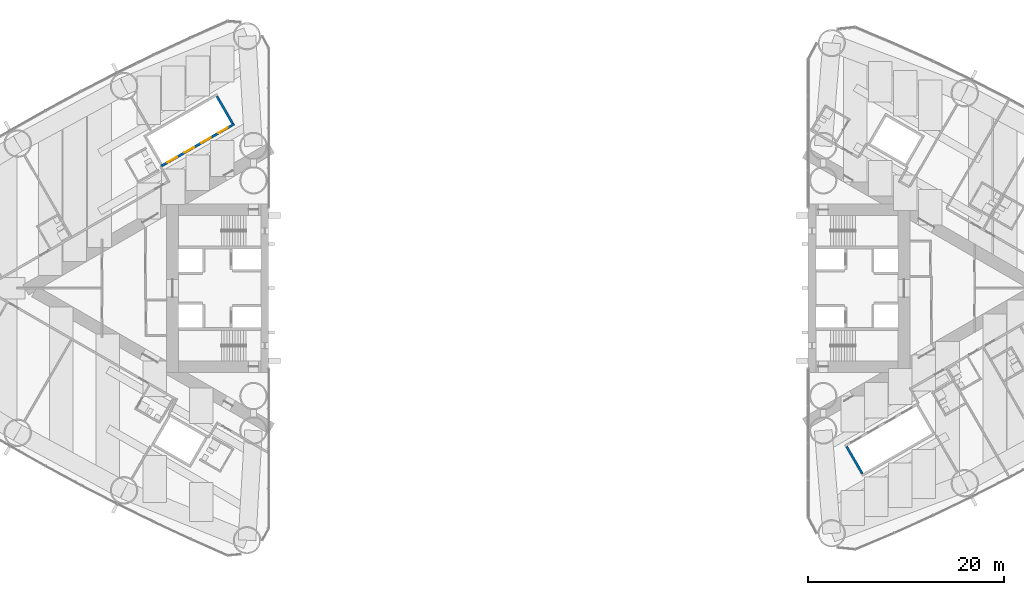
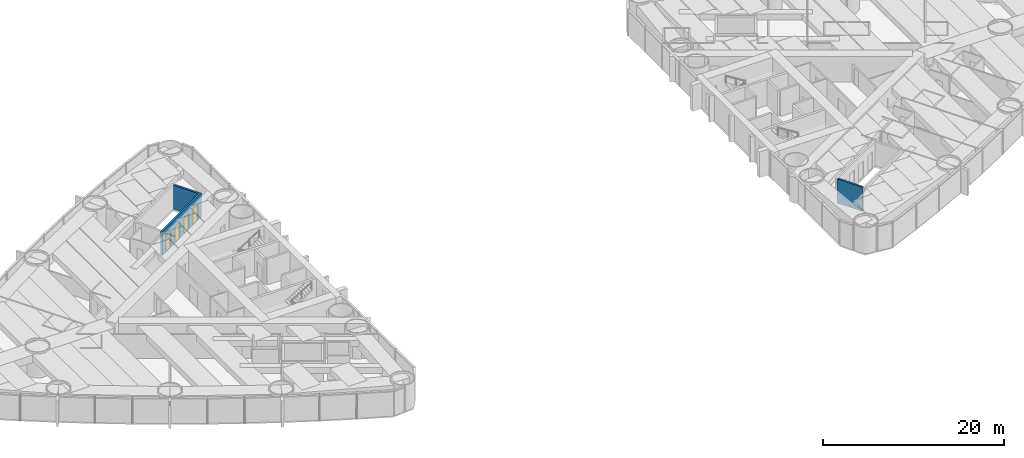
# One storey, part 13 of 19: 4 doors, 3 walls, 4 openings.
"""IFC4 building model written with IfcOpenShell, lengths in metres."""

from ifc_helpers import new_model, si_unit, direction, frame, frame_2d, origin, place, context, subcontext, project, spatial, rectangle, extrude, material, layer, layer_set, type_object, element, fill, save


model = new_model("IFC4")

# Units and contexts
model_context = context("Model", 3, precision=1e-05, world=origin(), true_north=direction((0.0, 1.0)))
body_context = subcontext(model_context, "Body", "Model", "MODEL_VIEW")
ifc_project = project(units=[si_unit("LENGTHUNIT", "METRE"), si_unit("AREAUNIT", "SQUARE_METRE"), si_unit("VOLUMEUNIT", "CUBIC_METRE"), si_unit("PLANEANGLEUNIT", "RADIAN"), si_unit("MASSUNIT", "GRAM", prefix="KILO")], contexts=[model_context])

# Site, building, storey
site_placement = place(None, origin())
site = spatial("IfcSite", under=ifc_project, at=site_placement, CompositionType="ELEMENT")
building_placement = place(site_placement, origin())
building = spatial("IfcBuilding", under=site, at=building_placement, Name="Lancet Gate Hotel", CompositionType="ELEMENT")
storey_placement = place(building_placement, frame((0.0, 0.0, 63.5)))
storey = spatial("IfcBuildingStorey", under=building, at=storey_placement, Name="L16", CompositionType="ELEMENT", Elevation=63.5)

# Wall, openings, doors
ifc_material_1 = material(Name="Gypsum board partition")
ifc_layer = layer(ifc_material_1, 0.25)
ifc_layer_set = layer_set([ifc_layer], Name="Lift shaft partition 250")
wall_type = type_object("IfcWallType", Name="Lift shaft partition 250", PredefinedType="PARTITIONING", material=ifc_layer_set)
wall_placement = place(storey_placement, frame((-31.010498046875, 16.747314453125, 0.0), z_axis=(0.0, 0.0, 1.0), x_axis=(-0.866028165386, -0.499995216735, 0.0)))
wall = element("IfcWall", 1, at=wall_placement, inside=storey, type_object=wall_type, Name="T1 lift shaft wall LR L16", PredefinedType="PARTITIONING", context=body_context, shape_type="SweptSolid", body=[
    extrude(rectangle(XDim=8.60009765625, YDim=0.25, at=frame_2d((4.300048828125, 0.0))), origin(), (0.0, 0.0, 1.0), 3.25),
])
opening_1_placement = place(wall_placement, frame((0.75, 0.0, 0.0)))
opening_1 = element("IfcOpeningElement", 2, at=opening_1_placement, cuts=wall, Name="Opening T1-LR1-L16", PredefinedType="OPENING", context=body_context, shape_type="SweptSolid", body=[
    extrude(rectangle(XDim=1.10009765625, YDim=2.199951171875, at=frame_2d((0.550048828125, 1.10009765625))), frame((0.0, 0.135009765625, 0.0), z_axis=(0.0, -1.0, 0.0), x_axis=(1.0, 0.0, 0.0)), (0.0, 0.0, 1.0), 0.27001953125),
])
opening_2_placement = place(wall_placement, frame((2.75, 0.0, 0.0)))
opening_2 = element("IfcOpeningElement", 3, at=opening_2_placement, cuts=wall, Name="Opening T1-LR2-L16", PredefinedType="OPENING", context=body_context, shape_type="SweptSolid", body=[
    extrude(rectangle(XDim=1.10009765625, YDim=2.199951171875, at=frame_2d((0.550048828125, 1.10009765625))), frame((0.0, 0.135009765625, 0.0), z_axis=(0.0, -1.0, 0.0), x_axis=(1.0, 0.0, 0.0)), (0.0, 0.0, 1.0), 0.27001953125),
])
opening_3_placement = place(wall_placement, frame((4.75, 0.0, 0.0)))
opening_3 = element("IfcOpeningElement", 4, at=opening_3_placement, cuts=wall, Name="Opening T1-LR3-L16", PredefinedType="OPENING", context=body_context, shape_type="SweptSolid", body=[
    extrude(rectangle(XDim=1.10009765625, YDim=2.199951171875, at=frame_2d((0.550048828125, 1.10009765625))), frame((0.0, 0.135009765625, 0.0), z_axis=(0.0, -1.0, 0.0), x_axis=(1.0, 0.0, 0.0)), (0.0, 0.0, 1.0), 0.27001953125),
])
opening_4_placement = place(wall_placement, frame((6.75, 0.0, 0.0)))
opening_4 = element("IfcOpeningElement", 5, at=opening_4_placement, cuts=wall, Name="Opening T1-LR4-L16", PredefinedType="OPENING", context=body_context, shape_type="SweptSolid", body=[
    extrude(rectangle(XDim=1.10009765625, YDim=2.199951171875, at=frame_2d((0.550048828125, 1.10009765625))), frame((0.0, 0.135009765625, 0.0), z_axis=(0.0, -1.0, 0.0), x_axis=(1.0, 0.0, 0.0)), (0.0, 0.0, 1.0), 0.27001953125),
])
ifc_material_2 = material(Name="Steel door set", Category="steel")
door_type = type_object("IfcDoorType", Name="Lift landing door 1100", OperationType="DOUBLE_DOOR_SLIDING", PredefinedType="USERDEFINED", material=ifc_material_2)
door_1_placement = place(opening_1_placement, origin())
door_1 = element("IfcDoor", 6, at=door_1_placement, inside=storey, type_object=door_type, Name="T1-LR1-L16", ObjectType="LIFT LANDING DOOR", OperationType="DOUBLE_DOOR_SLIDING", OverallHeight=2.199951171875, OverallWidth=1.10009765625, PredefinedType="USERDEFINED", context=body_context, shape_type="SweptSolid", body=[
    extrude(rectangle(XDim=1.10009765625, YDim=2.199951171875, at=frame_2d((0.550048828125, 1.10009765625))), frame((0.0, 0.02490234375, 0.0), z_axis=(0.0, -1.0, 0.0), x_axis=(1.0, 0.0, 0.0)), (0.0, 0.0, 1.0), 0.050048828125),
])
fill(opening_1, door_1)
door_2_placement = place(opening_2_placement, origin())
door_2 = element("IfcDoor", 7, at=door_2_placement, inside=storey, type_object=door_type, Name="T1-LR2-L16", ObjectType="LIFT LANDING DOOR", OperationType="DOUBLE_DOOR_SLIDING", OverallHeight=2.199951171875, OverallWidth=1.10009765625, PredefinedType="USERDEFINED", context=body_context, shape_type="SweptSolid", body=[
    extrude(rectangle(XDim=1.10009765625, YDim=2.199951171875, at=frame_2d((0.550048828125, 1.10009765625))), frame((0.0, 0.02490234375, 0.0), z_axis=(0.0, -1.0, 0.0), x_axis=(1.0, 0.0, 0.0)), (0.0, 0.0, 1.0), 0.050048828125),
])
fill(opening_2, door_2)
door_3_placement = place(opening_3_placement, origin())
door_3 = element("IfcDoor", 8, at=door_3_placement, inside=storey, type_object=door_type, Name="T1-LR3-L16", ObjectType="LIFT LANDING DOOR", OperationType="DOUBLE_DOOR_SLIDING", OverallHeight=2.199951171875, OverallWidth=1.10009765625, PredefinedType="USERDEFINED", context=body_context, shape_type="SweptSolid", body=[
    extrude(rectangle(XDim=1.10009765625, YDim=2.199951171875, at=frame_2d((0.550048828125, 1.10009765625))), frame((0.0, 0.02490234375, 0.0), z_axis=(0.0, -1.0, 0.0), x_axis=(1.0, 0.0, 0.0)), (0.0, 0.0, 1.0), 0.050048828125),
])
fill(opening_3, door_3)
door_4_placement = place(opening_4_placement, origin())
door_4 = element("IfcDoor", 9, at=door_4_placement, inside=storey, type_object=door_type, Name="T1-LR4-L16", ObjectType="LIFT LANDING DOOR", OperationType="DOUBLE_DOOR_SLIDING", OverallHeight=2.199951171875, OverallWidth=1.10009765625, PredefinedType="USERDEFINED", context=body_context, shape_type="SweptSolid", body=[
    extrude(rectangle(XDim=1.10009765625, YDim=2.199951171875, at=frame_2d((0.550048828125, 1.10009765625))), frame((0.0, 0.02490234375, 0.0), z_axis=(0.0, -1.0, 0.0), x_axis=(1.0, 0.0, 0.0)), (0.0, 0.0, 1.0), 0.050048828125),
])
fill(opening_4, door_4)

# Walls
for number, where, z_axis, x_axis, name in (
    (10, (-31.18115234375, 16.79296875, 0.0), (0.0, 0.0, 1.0), (-0.499929347863, 0.866066190972, 0.0), "T1 lift shaft wall LR L16"),
    (11, (31.441162109375, -16.14306640625, 0.0), (0.0, 0.0, 1.0), (0.499929347863, -0.866066190972, 0.0), "T2 lift shaft wall LR L16"),
):
    element("IfcWall", number, at=place(storey_placement, frame(where, z_axis=z_axis, x_axis=x_axis)), inside=storey, type_object=wall_type, Name=name, PredefinedType="PARTITIONING", context=body_context, shape_type="SweptSolid", body=[
        extrude(rectangle(XDim=3.20068359375, YDim=0.25, at=frame_2d((1.600341796875, 0.0))), origin(), (0.0, 0.0, 1.0), 3.25),
    ])

save(model, "model.ifc")
